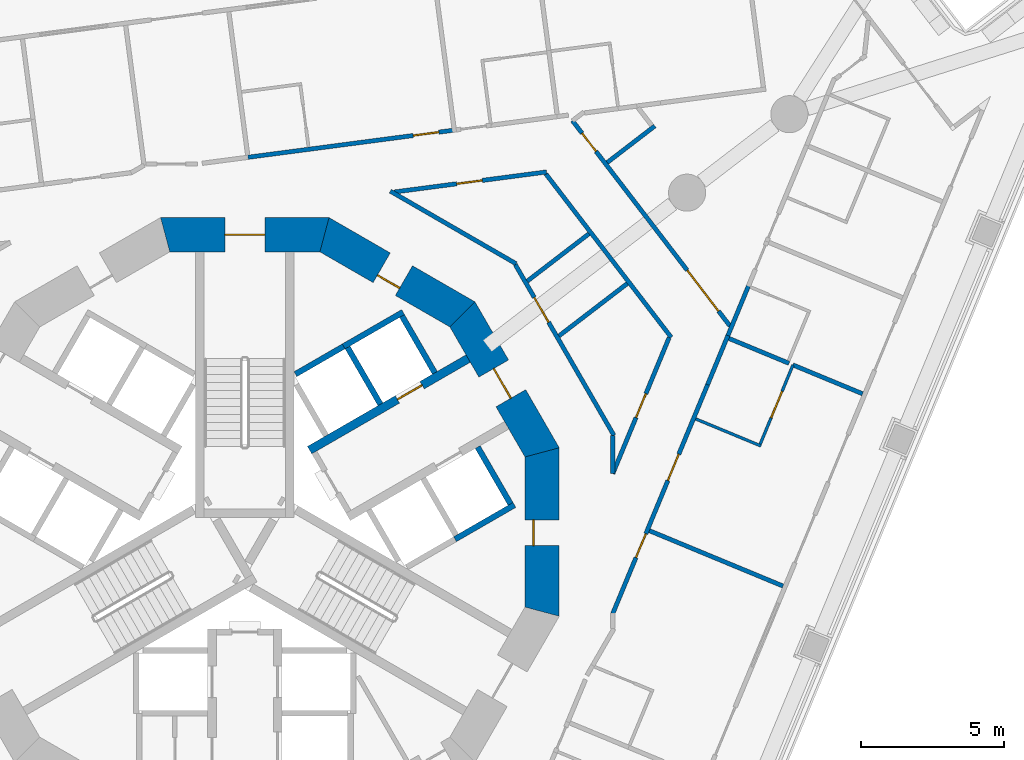
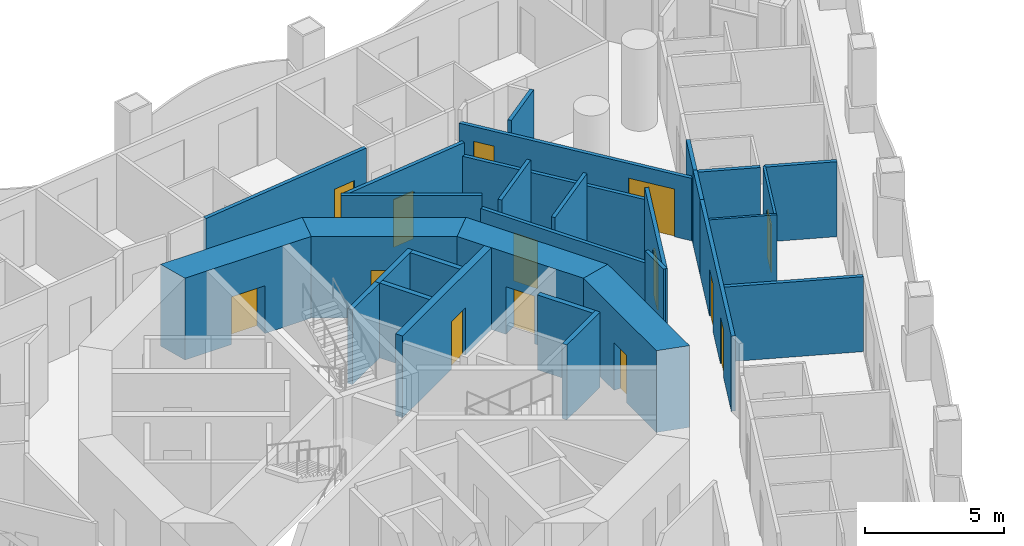
# One storey, part 9 of 19: 30 walls, 14 doors, 14 openings.
"""IFC4 building model written with IfcOpenShell, lengths in metres."""

from ifc_helpers import new_model, si_unit, direction, frame, frame_2d, origin, place, context, subcontext, project, spatial, polyline, rectangle, outline, extrude, material, layer, layer_set, type_object, element, fill, save


model = new_model("IFC4")

# Units and contexts
model_context = context("Model", 3, precision=1e-05, world=origin(), true_north=direction((0.0, 1.0)))
body_context = subcontext(model_context, "Body", "Model", "MODEL_VIEW")
ifc_project = project(units=[si_unit("LENGTHUNIT", "METRE"), si_unit("AREAUNIT", "SQUARE_METRE"), si_unit("VOLUMEUNIT", "CUBIC_METRE"), si_unit("PLANEANGLEUNIT", "RADIAN"), si_unit("MASSUNIT", "GRAM", prefix="KILO")], contexts=[model_context])

# Site, building, storey
site_placement = place(None, origin())
site = spatial("IfcSite", under=ifc_project, at=site_placement, CompositionType="ELEMENT")
building_placement = place(site_placement, origin())
building = spatial("IfcBuilding", under=site, at=building_placement, Name="Trine Commons Tower", CompositionType="ELEMENT")
storey_placement = place(building_placement, frame((0.0, 0.0, 72.0)))
storey = spatial("IfcBuildingStorey", under=building, at=storey_placement, Name="L17", CompositionType="ELEMENT", Elevation=72.0)

# Wall, opening, door
ifc_material_1 = material(Name="Concrete C80/95", Category="concrete")
ifc_layer_1 = layer(ifc_material_1, 1.199951171875)
ifc_layer_set_1 = layer_set([ifc_layer_1], Name="Concrete C80/95")
wall_type_1 = type_object("IfcWallType", Name="RC shear wall 1200 mm, C80/95", PredefinedType="SHEAR", material=ifc_layer_set_1)
wall_1_placement = place(storey_placement, frame((90.41162109375, 59.549560546875, 0.0), z_axis=(0.0, 0.0, 1.0), x_axis=(0.0, 1.0, 0.0)))
wall_1 = element("IfcWall", 1, at=wall_1_placement, inside=storey, type_object=wall_type_1, Name="Core wall CWB-01 L17", PredefinedType="SHEAR", context=body_context, shape_type="SweptSolid", body=[
    extrude(outline(polyline([(0.0, -0.60009765625), (5.90087890625, -0.60009765625), (5.57958984375, 0.60009765625), (0.321533203125, 0.60009765625), (0.0, -0.60009765625)])), origin(), (0.0, 0.0, 1.0), 3.60009765625),
])
opening_1_placement = place(wall_1_placement, frame((2.4755859375, 0.0, 0.0)))
opening_1 = element("IfcOpeningElement", 2, at=opening_1_placement, cuts=wall_1, Name="Opening K04.18", PredefinedType="OPENING", context=body_context, shape_type="SweptSolid", body=[
    extrude(rectangle(XDim=0.89990234375, YDim=2.10009765625, at=frame_2d((0.449951171875, 1.050048828125))), frame((0.0, 0.60986328125, 0.0), z_axis=(0.0, -1.0, 0.0), x_axis=(1.0, 0.0, 0.0)), (0.0, 0.0, 1.0), 1.219970703125),
])
ifc_material_2 = material(Name="Steel door leaf, fire-rated", Category="steel")
door_type_1 = type_object("IfcDoorType", Name="Core room door, single leaf 900 x 2100, FD30S", OperationType="SINGLE_SWING_LEFT", PredefinedType="DOOR", material=ifc_material_2)
door_1_placement = place(opening_1_placement, origin())
door_1 = element("IfcDoor", 3, at=door_1_placement, inside=storey, type_object=door_type_1, Name="Door to Parcel store L17", OperationType="SINGLE_SWING_LEFT", OverallHeight=2.10009765625, OverallWidth=0.89990234375, PredefinedType="DOOR", context=body_context, shape_type="SweptSolid", body=[
    extrude(rectangle(XDim=0.89990234375, YDim=2.10009765625, at=frame_2d((0.449951171875, 1.050048828125))), frame((0.0, 0.3251953125, 0.0), z_axis=(0.0, -1.0, 0.0), x_axis=(1.0, 0.0, 0.0)), (0.0, 0.0, 1.0), 0.050048828125),
])
fill(opening_1, door_1)

wall_2_placement = place(storey_placement, frame((90.491943359375, 65.150390625, 0.0), z_axis=(0.0, 0.0, 1.0), x_axis=(-0.499979111662, 0.866037463336, 0.0)))
wall_2 = element("IfcWall", 4, at=wall_2_placement, inside=storey, type_object=wall_type_1, Name="Core wall CWB-02 L17", PredefinedType="SHEAR", context=body_context, shape_type="SweptSolid", body=[
    extrude(outline(polyline([(0.0, -0.60009765625), (5.901123046875, -0.60009765625), (5.57958984375, 0.60009765625), (0.321533203125, 0.60009765625), (0.0, -0.60009765625)])), origin(), (0.0, 0.0, 1.0), 3.60009765625),
])
opening_2_placement = place(wall_2_placement, frame((2.3505859375, 0.0, 0.0)))
opening_2 = element("IfcOpeningElement", 5, at=opening_2_placement, cuts=wall_2, Name="Opening K04.04", PredefinedType="OPENING", context=body_context, shape_type="SweptSolid", body=[
    extrude(rectangle(XDim=1.199951171875, YDim=2.10009765625, at=frame_2d((0.60009765625, 1.050048828125))), frame((0.0, 0.60986328125, 0.0), z_axis=(0.0, -1.0, 0.0), x_axis=(1.0, 0.0, 0.0)), (0.0, 0.0, 1.0), 1.219970703125),
])
ifc_material_3 = material(Name="Steel door leaves, fire-rated", Category="steel")
door_type_2 = type_object("IfcDoorType", Name="Lobby door, double leaf 1200 x 2100, FD60", OperationType="DOUBLE_DOOR_SINGLE_SWING", PredefinedType="DOOR", material=ifc_material_3)
door_2_placement = place(opening_2_placement, origin())
door_2 = element("IfcDoor", 6, at=door_2_placement, inside=storey, type_object=door_type_2, Name="Lobby door, Passenger lift lobby A L17", OperationType="DOUBLE_DOOR_SINGLE_SWING", OverallHeight=2.10009765625, OverallWidth=1.199951171875, PredefinedType="DOOR", context=body_context, shape_type="SweptSolid", body=[
    extrude(rectangle(XDim=1.199951171875, YDim=2.10009765625, at=frame_2d((0.60009765625, 1.050048828125))), frame((0.0, 0.02490234375, 0.0), z_axis=(0.0, -1.0, 0.0), x_axis=(1.0, 0.0, 0.0)), (0.0, 0.0, 1.0), 0.050048828125),
])
fill(opening_2, door_2)

wall_3_placement = place(storey_placement, frame((87.760986328125, 70.04150390625, 0.0), z_axis=(0.0, 0.0, 1.0), x_axis=(-0.866037463336, 0.499979111662, 0.0)))
wall_3 = element("IfcWall", 7, at=wall_3_placement, inside=storey, type_object=wall_type_1, Name="Core wall CWB-03 L17", PredefinedType="SHEAR", context=body_context, shape_type="SweptSolid", body=[
    extrude(outline(polyline([(0.0, -0.60009765625), (5.901123046875, -0.60009765625), (5.57958984375, 0.60009765625), (0.321533203125, 0.60009765625), (0.0, -0.60009765625)])), origin(), (0.0, 0.0, 1.0), 3.60009765625),
])
opening_3_placement = place(wall_3_placement, frame((2.526611328125, 0.0, 0.0)))
opening_3 = element("IfcOpeningElement", 8, at=opening_3_placement, cuts=wall_3, Name="Opening K04.12", PredefinedType="OPENING", context=body_context, shape_type="SweptSolid", body=[
    extrude(rectangle(XDim=0.89990234375, YDim=2.10009765625, at=frame_2d((0.449951171875, 1.050048828125))), frame((0.0, 0.60986328125, 0.0), z_axis=(0.0, -1.0, 0.0), x_axis=(1.0, 0.0, 0.0)), (0.0, 0.0, 1.0), 1.219970703125),
])
door_3_placement = place(opening_3_placement, origin())
door_3 = element("IfcDoor", 9, at=door_3_placement, inside=storey, type_object=door_type_1, Name="Door to Linen store L17", OperationType="SINGLE_SWING_RIGHT", OverallHeight=2.10009765625, OverallWidth=0.89990234375, PredefinedType="DOOR", context=body_context, shape_type="SweptSolid", body=[
    extrude(rectangle(XDim=0.89990234375, YDim=2.10009765625, at=frame_2d((0.449951171875, 1.050048828125))), frame((0.0, 0.3251953125, 0.0), z_axis=(0.0, -1.0, 0.0), x_axis=(1.0, 0.0, 0.0)), (0.0, 0.0, 1.0), 0.050048828125),
])
fill(opening_3, door_3)

wall_4_placement = place(storey_placement, frame((82.950439453125, 72.91162109375, 0.0), z_axis=(0.0, 0.0, 1.0), x_axis=(-1.0, 0.0, 0.0)))
wall_4 = element("IfcWall", 10, at=wall_4_placement, inside=storey, type_object=wall_type_1, Name="Core wall CWB-04 L17", PredefinedType="SHEAR", context=body_context, shape_type="SweptSolid", body=[
    extrude(outline(polyline([(0.0, -0.60009765625), (5.90087890625, -0.60009765625), (5.57958984375, 0.60009765625), (0.321533203125, 0.60009765625), (0.0, -0.60009765625)])), origin(), (0.0, 0.0, 1.0), 3.60009765625),
])
opening_4_placement = place(wall_4_placement, frame((2.25048828125, 0.0, 0.0)))
opening_4 = element("IfcOpeningElement", 11, at=opening_4_placement, cuts=wall_4, Name="Opening K04.01", PredefinedType="OPENING", context=body_context, shape_type="SweptSolid", body=[
    extrude(rectangle(XDim=1.39990234375, YDim=2.10009765625, at=frame_2d((0.699951171875, 1.050048828125))), frame((0.0, 0.60986328125, 0.0), z_axis=(0.0, -1.0, 0.0), x_axis=(1.0, 0.0, 0.0)), (0.0, 0.0, 1.0), 1.219970703125),
])
door_type_3 = type_object("IfcDoorType", Name="Stair door, double leaf 1400 x 2100, FD90", OperationType="DOUBLE_DOOR_SINGLE_SWING", PredefinedType="DOOR", material=ifc_material_3)
door_4_placement = place(opening_4_placement, origin())
door_4 = element("IfcDoor", 12, at=door_4_placement, inside=storey, type_object=door_type_3, Name="Stair door to Exit stair ST1A L17", OperationType="DOUBLE_DOOR_SINGLE_SWING", OverallHeight=2.10009765625, OverallWidth=1.39990234375, PredefinedType="DOOR", context=body_context, shape_type="SweptSolid", body=[
    extrude(rectangle(XDim=1.39990234375, YDim=2.10009765625, at=frame_2d((0.699951171875, 1.050048828125))), frame((0.0, 0.02490234375, 0.0), z_axis=(0.0, -1.0, 0.0), x_axis=(1.0, 0.0, 0.0)), (0.0, 0.0, 1.0), 0.050048828125),
])
fill(opening_4, door_4)

ifc_layer_2 = layer(ifc_material_1, 0.300048828125)
ifc_layer_set_2 = layer_set([ifc_layer_2], Name="Concrete C80/95")
wall_type_2 = type_object("IfcWallType", Name="RC shear wall 300 mm, C80/95", PredefinedType="SHEAR", material=ifc_layer_set_2)
wall_5_placement = place(storey_placement, frame((82.26904296875, 65.368896484375, 0.0), z_axis=(0.0, 0.0, 1.0), x_axis=(0.866022631842, 0.500004801114, 0.0)))
wall_5 = element("IfcWall", 13, at=wall_5_placement, inside=storey, type_object=wall_type_2, Name="Core cross wall SWA-05 L17", PredefinedType="SHEAR", context=body_context, shape_type="SweptSolid", body=[
    extrude(rectangle(XDim=6.412109375, YDim=0.300048828125, at=frame_2d((3.2060546875, 0.0))), origin(), (0.0, 0.0, 1.0), 3.60009765625),
])
opening_5_placement = place(wall_5_placement, frame((3.55029296875, 0.0, 0.0)))
opening_5 = element("IfcOpeningElement", 14, at=opening_5_placement, cuts=wall_5, Name="Opening LD1", PredefinedType="OPENING", context=body_context, shape_type="SweptSolid", body=[
    extrude(rectangle(XDim=1.0, YDim=2.10009765625, at=frame_2d((0.5, 1.050048828125))), frame((0.0, 0.159912109375, 0.0), z_axis=(0.0, -1.0, 0.0), x_axis=(1.0, 0.0, 0.0)), (0.0, 0.0, 1.0), 0.320068359375),
])
ifc_material_4 = material(Name="Stainless steel sliding door leaves", Category="steel")
door_type_4 = type_object("IfcDoorType", Name="Lift landing door, centre-opening sliding 1000 x 2100, FD90", OperationType="DOUBLE_DOOR_SLIDING", PredefinedType="DOOR", material=ifc_material_4)
door_5_placement = place(opening_5_placement, origin())
door_5 = element("IfcDoor", 15, at=door_5_placement, inside=storey, type_object=door_type_4, Name="Lift landing door LR1 L17", OperationType="DOUBLE_DOOR_SLIDING", OverallHeight=2.10009765625, OverallWidth=1.0, PredefinedType="DOOR", context=body_context, shape_type="SweptSolid", body=[
    extrude(rectangle(XDim=1.0, YDim=2.10009765625, at=frame_2d((0.5, 1.050048828125))), frame((0.0, 0.02490234375, 0.0), z_axis=(0.0, -1.0, 0.0), x_axis=(1.0, 0.0, 0.0)), (0.0, 0.0, 1.0), 0.050048828125),
])
fill(opening_5, door_5)

# Walls
ifc_material_5 = material(Name="Fire-rated gypsum shaft wall system")
ifc_layer_3 = layer(ifc_material_5, 0.199951171875)
ifc_layer_set_3 = layer_set([ifc_layer_3], Name="Fire-rated gypsum shaft wall system")
wall_type_3 = type_object("IfcWallType", Name="Shaft wall 200 mm, EI 120", PredefinedType="PARTITIONING", material=ifc_layer_set_3)
wall_6_placement = place(storey_placement, frame((81.77490234375, 68.028076171875, 0.0), z_axis=(0.0, 0.0, 1.0), x_axis=(0.866052014814, 0.499953905513, 0.0)))
element("IfcWall", 16, at=wall_6_placement, inside=storey, type_object=wall_type_3, Name="Shaft wall L17", PredefinedType="PARTITIONING", context=body_context, shape_type="SweptSolid", body=[
    extrude(rectangle(XDim=1.947998046875, YDim=0.199951171875, at=frame_2d((0.97412109375, 0.0))), origin(), (0.0, 0.0, 1.0), 3.300048828125),
])
wall_7_placement = place(storey_placement, frame((83.4619140625, 69.001953125, 0.0), z_axis=(0.0, 0.0, 1.0), x_axis=(0.866202511239, 0.499693115345, 0.0)))
element("IfcWall", 17, at=wall_7_placement, inside=storey, type_object=wall_type_3, Name="Shaft wall L17", PredefinedType="PARTITIONING", context=body_context, shape_type="SweptSolid", body=[
    extrude(rectangle(XDim=2.4013671875, YDim=0.199951171875, at=frame_2d((1.20068359375, 0.0))), origin(), (0.0, 0.0, 1.0), 3.300048828125),
])
wall_8_placement = place(storey_placement, frame((84.7490234375, 66.97412109375, 0.0), z_axis=(0.0, 0.0, 1.0), x_axis=(-0.500136062276, 0.86594683394, 0.0)))
element("IfcWall", 18, at=wall_8_placement, inside=storey, type_object=wall_type_3, Name="Shaft wall L17", PredefinedType="PARTITIONING", context=body_context, shape_type="SweptSolid", body=[
    extrude(rectangle(XDim=2.299072265625, YDim=0.199951171875, at=frame_2d((1.1494140625, 0.0))), origin(), (0.0, 0.0, 1.0), 3.300048828125),
])
wall_9_placement = place(storey_placement, frame((86.655029296875, 68.073974609375, 0.0), z_axis=(0.0, 0.0, 1.0), x_axis=(-0.500215680983, 0.865900844496, 0.0)))
element("IfcWall", 19, at=wall_9_placement, inside=storey, type_object=wall_type_3, Name="Shaft wall L17", PredefinedType="PARTITIONING", context=body_context, shape_type="SweptSolid", body=[
    extrude(rectangle(XDim=2.29931640625, YDim=0.199951171875, at=frame_2d((1.149658203125, 0.0))), origin(), (0.0, 0.0, 1.0), 3.300048828125),
])
wall_10_placement = place(storey_placement, frame((87.362060546875, 62.248046875, 0.0), z_axis=(0.0, 0.0, 1.0), x_axis=(0.866177122335, 0.499737123639, 0.0)))
element("IfcWall", 20, at=wall_10_placement, inside=storey, type_object=wall_type_3, Name="Shaft wall L17", PredefinedType="PARTITIONING", context=body_context, shape_type="SweptSolid", body=[
    extrude(rectangle(XDim=2.401123046875, YDim=0.199951171875, at=frame_2d((1.20068359375, 0.0))), origin(), (0.0, 0.0, 1.0), 3.300048828125),
])
wall_11_placement = place(storey_placement, frame((88.155029296875, 65.47607421875, 0.0), z_axis=(0.0, 0.0, 1.0), x_axis=(0.500136062276, -0.86594683394, 0.0)))
element("IfcWall", 21, at=wall_11_placement, inside=storey, type_object=wall_type_3, Name="Shaft wall L17", PredefinedType="PARTITIONING", context=body_context, shape_type="SweptSolid", body=[
    extrude(rectangle(XDim=2.299072265625, YDim=0.199951171875, at=frame_2d((1.1494140625, 0.0))), origin(), (0.0, 0.0, 1.0), 3.300048828125),
])

# Wall, opening, door
ifc_material_6 = material(Name="Gypsum plasterboard on steel stud", Category="steel")
ifc_layer_4 = layer(ifc_material_6, 0.14990234375)
ifc_layer_set_4 = layer_set([ifc_layer_4], Name="Gypsum plasterboard on steel stud")
wall_type_4 = type_object("IfcWallType", Name="Unit and corridor wall 150 mm, EI 60", PredefinedType="PARTITIONING", material=ifc_layer_set_4)
wall_12_placement = place(storey_placement, frame((80.10595703125, 75.623046875, 0.0), z_axis=(0.0, 0.0, 1.0), x_axis=(0.991433895308, 0.130609460741, 0.0)))
wall_12 = element("IfcWall", 22, at=wall_12_placement, inside=storey, type_object=wall_type_4, Name="Partition 080", PredefinedType="PARTITIONING", context=body_context, shape_type="SweptSolid", body=[
    extrude(rectangle(XDim=7.295654296875, YDim=0.14990234375, at=frame_2d((3.64794921875, 0.0))), origin(), (0.0, 0.0, 1.0), 3.300048828125),
])
opening_6_placement = place(wall_12_placement, frame((5.847900390625, 0.0, 0.0)))
opening_6 = element("IfcOpeningElement", 23, at=opening_6_placement, cuts=wall_12, Name="Opening D-2C12", PredefinedType="OPENING", context=body_context, shape_type="SweptSolid", body=[
    extrude(rectangle(XDim=0.89990234375, YDim=2.10009765625, at=frame_2d((0.449951171875, 1.050048828125))), frame((0.0, 0.0849609375, 0.0), z_axis=(0.0, -1.0, 0.0), x_axis=(1.0, 0.0, 0.0)), (0.0, 0.0, 1.0), 0.169921875),
])
ifc_material_7 = material(Name="Timber fire door set", Category="wood")
door_type_5 = type_object("IfcDoorType", Name="Bedroom door 900 x 2100, FD30S", OperationType="NOTDEFINED", PredefinedType="DOOR", material=ifc_material_7)
door_6_placement = place(opening_6_placement, origin())
door_6 = element("IfcDoor", 24, at=door_6_placement, inside=storey, type_object=door_type_5, Name="Door D-2C12", OperationType="SINGLE_SWING_RIGHT", OverallHeight=2.10009765625, OverallWidth=0.89990234375, PredefinedType="DOOR", context=body_context, shape_type="SweptSolid", body=[
    extrude(rectangle(XDim=0.89990234375, YDim=2.10009765625, at=frame_2d((0.449951171875, 1.050048828125))), frame((0.0, 0.02490234375, 0.0), z_axis=(0.0, -1.0, 0.0), x_axis=(1.0, 0.0, 0.0)), (0.0, 0.0, 1.0), 0.050048828125),
])
fill(opening_6, door_6)

# Wall
wall_13_placement = place(storey_placement, frame((85.095947265625, 74.4384765625, 0.0), z_axis=(0.0, 0.0, 1.0), x_axis=(0.866036051865, -0.49998155653, 0.0)))
element("IfcWall", 25, at=wall_13_placement, inside=storey, type_object=wall_type_4, Name="Partition 093", PredefinedType="PARTITIONING", context=body_context, shape_type="SweptSolid", body=[
    extrude(rectangle(XDim=5.084228515625, YDim=0.14990234375, at=frame_2d((2.5419921875, 0.0))), origin(), (0.0, 0.0, 1.0), 3.300048828125),
])

# Wall, opening, door
wall_14_placement = place(storey_placement, frame((85.23828125, 74.40869140625, 0.0), z_axis=(0.0, 0.0, 1.0), x_axis=(0.991440693098, 0.130557849512, 0.0)))
wall_14 = element("IfcWall", 26, at=wall_14_placement, inside=storey, type_object=wall_type_4, Name="Partition 095", PredefinedType="PARTITIONING", context=body_context, shape_type="SweptSolid", body=[
    extrude(rectangle(XDim=5.378173828125, YDim=0.14990234375, at=frame_2d((2.68896484375, 0.0))), origin(), (0.0, 0.0, 1.0), 3.300048828125),
])
opening_7_placement = place(wall_14_placement, frame((2.201416015625, 0.0, 0.0)))
opening_7 = element("IfcOpeningElement", 27, at=opening_7_placement, cuts=wall_14, Name="Opening D-2C35", PredefinedType="OPENING", context=body_context, shape_type="SweptSolid", body=[
    extrude(rectangle(XDim=0.89990234375, YDim=2.10009765625, at=frame_2d((0.449951171875, 1.050048828125))), frame((0.0, 0.0849609375, 0.0), z_axis=(0.0, -1.0, 0.0), x_axis=(1.0, 0.0, 0.0)), (0.0, 0.0, 1.0), 0.169921875),
])
door_type_6 = type_object("IfcDoorType", Name="Service door 900 x 2100, FD30S", OperationType="NOTDEFINED", PredefinedType="DOOR", material=ifc_material_7)
door_7_placement = place(opening_7_placement, frame((0.89990234375, 0.0, 0.0), z_axis=(0.0, 0.0, 1.0), x_axis=(-1.0, 0.0, 0.0)))
door_7 = element("IfcDoor", 28, at=door_7_placement, inside=storey, type_object=door_type_6, Name="Door D-2C35", OperationType="SINGLE_SWING_RIGHT", OverallHeight=2.10009765625, OverallWidth=0.89990234375, PredefinedType="DOOR", context=body_context, shape_type="SweptSolid", body=[
    extrude(rectangle(XDim=0.89990234375, YDim=2.10009765625, at=frame_2d((0.449951171875, 1.050048828125))), frame((0.0, 0.02490234375, 0.0), z_axis=(0.0, -1.0, 0.0), x_axis=(1.0, 0.0, 0.0)), (0.0, 0.0, 1.0), 0.050048828125),
])
fill(opening_7, door_7)

wall_15_placement = place(storey_placement, frame((89.471435546875, 71.868896484375, 0.0), z_axis=(0.0, 0.0, 1.0), x_axis=(0.50000193825, -0.866024284732, 0.0)))
wall_15 = element("IfcWall", 29, at=wall_15_placement, inside=storey, type_object=wall_type_4, Name="Partition 113", PredefinedType="PARTITIONING", context=body_context, shape_type="SweptSolid", body=[
    extrude(rectangle(XDim=6.90625, YDim=0.14990234375, at=frame_2d((3.453125, 0.0))), origin(), (0.0, 0.0, 1.0), 2.75),
])
opening_8_placement = place(wall_15_placement, frame((1.3330078125, 0.0, 0.0)))
opening_8 = element("IfcOpeningElement", 30, at=opening_8_placement, cuts=wall_15, Name="Opening D-2C41", PredefinedType="OPENING", context=body_context, shape_type="SweptSolid", body=[
    extrude(rectangle(XDim=1.0, YDim=2.10009765625, at=frame_2d((0.5, 1.050048828125))), frame((0.0, 0.0849609375, 0.0), z_axis=(0.0, -1.0, 0.0), x_axis=(1.0, 0.0, 0.0)), (0.0, 0.0, 1.0), 0.169921875),
])
ifc_material_8 = material(Name="Painted timber", Category="wood")
door_type_7 = type_object("IfcDoorType", Name="Toilet door 1000 x 2100, NOT RATED", OperationType="NOTDEFINED", PredefinedType="DOOR", material=ifc_material_8)
door_8_placement = place(opening_8_placement, origin())
door_8 = element("IfcDoor", 31, at=door_8_placement, inside=storey, type_object=door_type_7, Name="Door D-2C41", OperationType="SINGLE_SWING_LEFT", OverallHeight=2.10009765625, OverallWidth=1.0, PredefinedType="DOOR", context=body_context, shape_type="SweptSolid", body=[
    extrude(rectangle(XDim=1.0, YDim=2.10009765625, at=frame_2d((0.5, 1.050048828125))), frame((0.0, 0.02490234375, 0.0), z_axis=(0.0, -1.0, 0.0), x_axis=(1.0, 0.0, 0.0)), (0.0, 0.0, 1.0), 0.050048828125),
])
fill(opening_8, door_8)

# Walls
wall_16_placement = place(storey_placement, frame((89.892578125, 71.28759765625, 0.0), z_axis=(0.0, 0.0, 1.0), x_axis=(0.793249929781, 0.608896172515, 0.0)))
element("IfcWall", 32, at=wall_16_placement, inside=storey, type_object=wall_type_4, Name="Partition 114", PredefinedType="PARTITIONING", context=body_context, shape_type="SweptSolid", body=[
    extrude(rectangle(XDim=2.72412109375, YDim=0.14990234375, at=frame_2d((1.362060546875, 0.0))), origin(), (0.0, 0.0, 1.0), 3.300048828125),
])
wall_17_placement = place(storey_placement, frame((90.541748046875, 75.04150390625, 0.0), z_axis=(0.0, 0.0, 1.0), x_axis=(0.608724186816, -0.793381915842, 0.0)))
element("IfcWall", 33, at=wall_17_placement, inside=storey, type_object=wall_type_4, Name="Partition 118", PredefinedType="PARTITIONING", context=body_context, shape_type="SweptSolid", body=[
    extrude(rectangle(XDim=7.21484375, YDim=0.14990234375, at=frame_2d((3.607421875, 0.0))), origin(), (0.0, 0.0, 1.0), 2.75),
])
wall_18_placement = place(storey_placement, frame((91.00146484375, 69.36669921875, 0.0), z_axis=(0.0, 0.0, 1.0), x_axis=(0.79348121318, 0.608594745565, 0.0)))
element("IfcWall", 34, at=wall_18_placement, inside=storey, type_object=wall_type_4, Name="Partition 124", PredefinedType="PARTITIONING", context=body_context, shape_type="SweptSolid", body=[
    extrude(rectangle(XDim=3.0146484375, YDim=0.14990234375, at=frame_2d((1.50732421875, 0.0))), origin(), (0.0, 0.0, 1.0), 3.300048828125),
])

# Wall, openings, doors
wall_19_placement = place(storey_placement, frame((91.47412109375, 76.906005859375, 0.0), z_axis=(0.0, 0.0, 1.0), x_axis=(0.608691769464, -0.793406787081, 0.0)))
wall_19 = element("IfcWall", 35, at=wall_19_placement, inside=storey, type_object=wall_type_4, Name="Partition 128", PredefinedType="PARTITIONING", context=body_context, shape_type="SweptSolid", body=[
    extrude(rectangle(XDim=9.05908203125, YDim=0.14990234375, at=frame_2d((4.529541015625, 0.0))), origin(), (0.0, 0.0, 1.0), 2.75),
])
opening_9_placement = place(wall_19_placement, frame((6.606201171875, 0.0, 0.0)))
opening_9 = element("IfcOpeningElement", 36, at=opening_9_placement, cuts=wall_19, Name="Opening D-2C01", PredefinedType="OPENING", context=body_context, shape_type="SweptSolid", body=[
    extrude(rectangle(XDim=1.800048828125, YDim=2.10009765625, at=frame_2d((0.89990234375, 1.050048828125))), frame((0.0, 0.0849609375, 0.0), z_axis=(0.0, -1.0, 0.0), x_axis=(1.0, 0.0, 0.0)), (0.0, 0.0, 1.0), 0.169921875),
])
opening_10_placement = place(wall_19_placement, frame((0.553955078125, 0.0, 0.0)))
opening_10 = element("IfcOpeningElement", 37, at=opening_10_placement, cuts=wall_19, Name="Opening D-2C04", PredefinedType="OPENING", context=body_context, shape_type="SweptSolid", body=[
    extrude(rectangle(XDim=0.800048828125, YDim=2.10009765625, at=frame_2d((0.39990234375, 1.050048828125))), frame((0.0, 0.0849609375, 0.0), z_axis=(0.0, -1.0, 0.0), x_axis=(1.0, 0.0, 0.0)), (0.0, 0.0, 1.0), 0.169921875),
])
door_type_8 = type_object("IfcDoorType", Name="Cluster entrance door 1800 x 2100, double leaf, FD30S", OperationType="DOUBLE_DOOR_DOUBLE_SWING", PredefinedType="DOOR", material=ifc_material_7)
door_9_placement = place(opening_9_placement, origin())
door_9 = element("IfcDoor", 38, at=door_9_placement, inside=storey, type_object=door_type_8, Name="Door D-2C01", OperationType="DOUBLE_DOOR_DOUBLE_SWING", OverallHeight=2.10009765625, OverallWidth=1.800048828125, PredefinedType="DOOR", context=body_context, shape_type="SweptSolid", body=[
    extrude(rectangle(XDim=1.800048828125, YDim=2.10009765625, at=frame_2d((0.89990234375, 1.050048828125))), frame((0.0, 0.02490234375, 0.0), z_axis=(0.0, -1.0, 0.0), x_axis=(1.0, 0.0, 0.0)), (0.0, 0.0, 1.0), 0.050048828125),
])
fill(opening_9, door_9)
door_type_9 = type_object("IfcDoorType", Name="Toilet door 800 x 2100, NOT RATED", OperationType="NOTDEFINED", PredefinedType="DOOR", material=ifc_material_8)
door_10_placement = place(opening_10_placement, origin())
door_10 = element("IfcDoor", 39, at=door_10_placement, inside=storey, type_object=door_type_9, Name="Door D-2C04", OperationType="SINGLE_SWING_LEFT", OverallHeight=2.10009765625, OverallWidth=0.800048828125, PredefinedType="DOOR", context=body_context, shape_type="SweptSolid", body=[
    extrude(rectangle(XDim=0.800048828125, YDim=2.10009765625, at=frame_2d((0.39990234375, 1.050048828125))), frame((0.0, 0.02490234375, 0.0), z_axis=(0.0, -1.0, 0.0), x_axis=(1.0, 0.0, 0.0)), (0.0, 0.0, 1.0), 0.050048828125),
])
fill(opening_10, door_10)

# Wall
wall_20_placement = place(storey_placement, frame((92.6923828125, 75.440673828125, 0.0), z_axis=(0.0, 0.0, 1.0), x_axis=(0.793198338244, 0.608963378379, 0.0)))
element("IfcWall", 40, at=wall_20_placement, inside=storey, type_object=wall_type_4, Name="Partition 136", PredefinedType="PARTITIONING", context=body_context, shape_type="SweptSolid", body=[
    extrude(rectangle(XDim=2.100341796875, YDim=0.14990234375, at=frame_2d((1.05029296875, 0.0))), origin(), (0.0, 0.0, 1.0), 3.300048828125),
])

# Wall, openings, doors
wall_21_placement = place(storey_placement, frame((92.886962890625, 59.64599609375, 0.0), z_axis=(0.0, 0.0, 1.0), x_axis=(0.382685755008, 0.923878570438, 0.0)))
wall_21 = element("IfcWall", 41, at=wall_21_placement, inside=storey, type_object=wall_type_4, Name="Partition 139", PredefinedType="PARTITIONING", context=body_context, shape_type="SweptSolid", body=[
    extrude(rectangle(XDim=8.673095703125, YDim=0.14990234375, at=frame_2d((4.33642578125, 0.0))), origin(), (0.0, 0.0, 1.0), 3.300048828125),
])
opening_11_placement = place(wall_21_placement, frame((5.0400390625, 0.0, 0.0)))
opening_11 = element("IfcOpeningElement", 42, at=opening_11_placement, cuts=wall_21, Name="Opening D-2C18", PredefinedType="OPENING", context=body_context, shape_type="SweptSolid", body=[
    extrude(rectangle(XDim=1.0, YDim=2.10009765625, at=frame_2d((0.5, 1.050048828125))), frame((0.0, 0.0849609375, 0.0), z_axis=(0.0, -1.0, 0.0), x_axis=(1.0, 0.0, 0.0)), (0.0, 0.0, 1.0), 0.169921875),
])
opening_12_placement = place(wall_21_placement, frame((2.120361328125, 0.0, 0.0)))
opening_12 = element("IfcOpeningElement", 43, at=opening_12_placement, cuts=wall_21, Name="Opening D-2C19", PredefinedType="OPENING", context=body_context, shape_type="SweptSolid", body=[
    extrude(rectangle(XDim=0.89990234375, YDim=2.10009765625, at=frame_2d((0.449951171875, 1.050048828125))), frame((0.0, 0.0849609375, 0.0), z_axis=(0.0, -1.0, 0.0), x_axis=(1.0, 0.0, 0.0)), (0.0, 0.0, 1.0), 0.169921875),
])
door_type_10 = type_object("IfcDoorType", Name="Bedroom door 1000 x 2100, FD30S", OperationType="NOTDEFINED", PredefinedType="DOOR", material=ifc_material_7)
door_11_placement = place(opening_11_placement, frame((1.0, 0.0, 0.0), z_axis=(0.0, 0.0, 1.0), x_axis=(-1.0, 0.0, 0.0)))
door_11 = element("IfcDoor", 44, at=door_11_placement, inside=storey, type_object=door_type_10, Name="Door D-2C18", OperationType="SINGLE_SWING_LEFT", OverallHeight=2.10009765625, OverallWidth=1.0, PredefinedType="DOOR", context=body_context, shape_type="SweptSolid", body=[
    extrude(rectangle(XDim=1.0, YDim=2.10009765625, at=frame_2d((0.5, 1.050048828125))), frame((0.0, 0.02490234375, 0.0), z_axis=(0.0, -1.0, 0.0), x_axis=(1.0, 0.0, 0.0)), (0.0, 0.0, 1.0), 0.050048828125),
])
fill(opening_11, door_11)
door_12_placement = place(opening_12_placement, frame((0.89990234375, 0.0, 0.0), z_axis=(0.0, 0.0, 1.0), x_axis=(-1.0, 0.0, 0.0)))
door_12 = element("IfcDoor", 45, at=door_12_placement, inside=storey, type_object=door_type_5, Name="Door D-2C19", OperationType="SINGLE_SWING_RIGHT", OverallHeight=2.10009765625, OverallWidth=0.89990234375, PredefinedType="DOOR", context=body_context, shape_type="SweptSolid", body=[
    extrude(rectangle(XDim=0.89990234375, YDim=2.10009765625, at=frame_2d((0.449951171875, 1.050048828125))), frame((0.0, 0.02490234375, 0.0), z_axis=(0.0, -1.0, 0.0), x_axis=(1.0, 0.0, 0.0)), (0.0, 0.0, 1.0), 0.050048828125),
])
fill(opening_12, door_12)

# Wall
wall_22_placement = place(storey_placement, frame((92.886962890625, 64.5419921875, 0.0), z_axis=(0.0, 0.0, 1.0), x_axis=(0.0, 1.0, 0.0)))
element("IfcWall", 46, at=wall_22_placement, inside=storey, type_object=wall_type_4, Name="Partition 140", PredefinedType="PARTITIONING", context=body_context, shape_type="SweptSolid", body=[
    extrude(rectangle(XDim=1.3359375, YDim=0.14990234375, at=frame_2d((0.66796875, 0.0))), origin(), (0.0, 0.0, 1.0), 3.300048828125),
])

# Wall, opening, door
wall_23_placement = place(storey_placement, frame((92.886962890625, 64.5458984375, 0.0), z_axis=(0.0, 0.0, 1.0), x_axis=(0.382690656651, 0.923876540081, 0.0)))
wall_23 = element("IfcWall", 47, at=wall_23_placement, inside=storey, type_object=wall_type_4, Name="Partition 141", PredefinedType="PARTITIONING", context=body_context, shape_type="SweptSolid", body=[
    extrude(rectangle(XDim=5.154052734375, YDim=0.14990234375, at=frame_2d((2.5771484375, 0.0))), origin(), (0.0, 0.0, 1.0), 3.300048828125),
])
opening_13_placement = place(wall_23_placement, frame((2.126953125, 0.0, 0.0)))
opening_13 = element("IfcOpeningElement", 48, at=opening_13_placement, cuts=wall_23, Name="Opening D-2C36", PredefinedType="OPENING", context=body_context, shape_type="SweptSolid", body=[
    extrude(rectangle(XDim=0.89990234375, YDim=2.10009765625, at=frame_2d((0.449951171875, 1.050048828125))), frame((0.0, 0.0849609375, 0.0), z_axis=(0.0, -1.0, 0.0), x_axis=(1.0, 0.0, 0.0)), (0.0, 0.0, 1.0), 0.169921875),
])
door_13_placement = place(opening_13_placement, origin())
door_13 = element("IfcDoor", 49, at=door_13_placement, inside=storey, type_object=door_type_6, Name="Door D-2C36", OperationType="SINGLE_SWING_RIGHT", OverallHeight=2.10009765625, OverallWidth=0.89990234375, PredefinedType="DOOR", context=body_context, shape_type="SweptSolid", body=[
    extrude(rectangle(XDim=0.89990234375, YDim=2.10009765625, at=frame_2d((0.449951171875, 1.050048828125))), frame((0.0, 0.02490234375, 0.0), z_axis=(0.0, -1.0, 0.0), x_axis=(1.0, 0.0, 0.0)), (0.0, 0.0, 1.0), 0.050048828125),
])
fill(opening_13, door_13)

# Walls
wall_24_placement = place(storey_placement, frame((94.169189453125, 62.54638671875, 0.0), z_axis=(0.0, 0.0, 1.0), x_axis=(0.923879340067, -0.382683896966, 0.0)))
element("IfcWall", 50, at=wall_24_placement, inside=storey, type_object=wall_type_4, Name="Partition 147", PredefinedType="PARTITIONING", context=body_context, shape_type="SweptSolid", body=[
    extrude(rectangle(XDim=5.064208984375, YDim=0.14990234375, at=frame_2d((2.5322265625, 0.0))), origin(), (0.0, 0.0, 1.0), 3.300048828125),
])
wall_25_placement = place(storey_placement, frame((96.2060546875, 67.658935546875, 0.0), z_axis=(0.0, 0.0, 1.0), x_axis=(0.382317087309, 0.924031192521, 0.0)))
element("IfcWall", 51, at=wall_25_placement, inside=storey, type_object=wall_type_4, Name="Partition 150", PredefinedType="PARTITIONING", context=body_context, shape_type="SweptSolid", body=[
    extrude(rectangle(XDim=1.864013671875, YDim=0.14990234375, at=frame_2d((0.93212890625, 0.0))), origin(), (0.0, 0.0, 1.0), 3.300048828125),
])
wall_26_placement = place(storey_placement, frame((96.886962890625, 69.303955078125, 0.0), z_axis=(0.0, 0.0, 1.0), x_axis=(0.382516455335, 0.923948678985, 0.0)))
element("IfcWall", 52, at=wall_26_placement, inside=storey, type_object=wall_type_4, Name="Partition 151", PredefinedType="PARTITIONING", context=body_context, shape_type="SweptSolid", body=[
    extrude(rectangle(XDim=2.0078125, YDim=0.14990234375, at=frame_2d((1.00390625, 0.0))), origin(), (0.0, 0.0, 1.0), 3.300048828125),
])
wall_27_placement = place(storey_placement, frame((96.957275390625, 69.279296875, 0.0), z_axis=(0.0, 0.0, 1.0), x_axis=(0.923764335003, -0.382961425442, 0.0)))
element("IfcWall", 53, at=wall_27_placement, inside=storey, type_object=wall_type_4, Name="Partition 152", PredefinedType="PARTITIONING", context=body_context, shape_type="SweptSolid", body=[
    extrude(rectangle(XDim=2.275146484375, YDim=0.14990234375, at=frame_2d((1.1376953125, 0.0))), origin(), (0.0, 0.0, 1.0), 3.300048828125),
])
wall_28_placement = place(storey_placement, frame((99.194091796875, 68.35205078125, 0.0), z_axis=(0.0, 0.0, 1.0), x_axis=(0.923976311706, -0.382449703106, 0.0)))
element("IfcWall", 54, at=wall_28_placement, inside=storey, type_object=wall_type_4, Name="Partition 161", PredefinedType="PARTITIONING", context=body_context, shape_type="SweptSolid", body=[
    extrude(rectangle(XDim=2.642822265625, YDim=0.14990234375, at=frame_2d((1.3212890625, 0.0))), origin(), (0.0, 0.0, 1.0), 3.300048828125),
])
ifc_layer_5 = layer(ifc_material_6, 0.10009765625)
ifc_layer_set_5 = layer_set([ifc_layer_5], Name="Gypsum plasterboard on steel stud")
wall_type_5 = type_object("IfcWallType", Name="Unit partition 100 mm, no rating", PredefinedType="PARTITIONING", material=ifc_layer_set_5)
wall_29_placement = place(storey_placement, frame((95.790283203125, 66.461181640625, 0.0), z_axis=(0.0, 0.0, 1.0), x_axis=(0.923877385773, -0.38268861501, 0.0)))
element("IfcWall", 55, at=wall_29_placement, inside=storey, type_object=wall_type_5, Name="Partition 149", PredefinedType="PARTITIONING", context=body_context, shape_type="SweptSolid", body=[
    extrude(rectangle(XDim=2.475341796875, YDim=0.10009765625, at=frame_2d((1.23779296875, 0.0))), origin(), (0.0, 0.0, 1.0), 3.300048828125),
])

# Wall, opening, door
wall_30_placement = place(storey_placement, frame((98.050048828125, 65.5791015625, 0.0), z_axis=(0.0, 0.0, 1.0), x_axis=(0.382615309669, 0.923907746913, 0.0)))
wall_30 = element("IfcWall", 56, at=wall_30_placement, inside=storey, type_object=wall_type_5, Name="Partition 156", PredefinedType="PARTITIONING", context=body_context, shape_type="SweptSolid", body=[
    extrude(rectangle(XDim=3.000244140625, YDim=0.10009765625, at=frame_2d((1.5, 0.0))), origin(), (0.0, 0.0, 1.0), 3.300048828125),
])
opening_14_placement = place(wall_30_placement, frame((1.0, 0.0, 0.0)))
opening_14 = element("IfcOpeningElement", 57, at=opening_14_placement, cuts=wall_30, Name="Opening D-2C51", PredefinedType="OPENING", context=body_context, shape_type="SweptSolid", body=[
    extrude(rectangle(XDim=1.0, YDim=2.10009765625, at=frame_2d((0.5, 1.050048828125))), frame((0.0, 0.06005859375, 0.0), z_axis=(0.0, -1.0, 0.0), x_axis=(1.0, 0.0, 0.0)), (0.0, 0.0, 1.0), 0.1201171875),
])
door_type_11 = type_object("IfcDoorType", Name="Internal door 1000 x 2100, NOT RATED", OperationType="NOTDEFINED", PredefinedType="DOOR", material=ifc_material_8)
door_14_placement = place(opening_14_placement, frame((1.0, 0.0, 0.0), z_axis=(0.0, 0.0, 1.0), x_axis=(-1.0, 0.0, 0.0)))
door_14 = element("IfcDoor", 58, at=door_14_placement, inside=storey, type_object=door_type_11, Name="Door D-2C51", OperationType="SINGLE_SWING_LEFT", OverallHeight=2.10009765625, OverallWidth=1.0, PredefinedType="DOOR", context=body_context, shape_type="SweptSolid", body=[
    extrude(rectangle(XDim=1.0, YDim=2.10009765625, at=frame_2d((0.5, 1.050048828125))), frame((0.0, 0.02490234375, 0.0), z_axis=(0.0, -1.0, 0.0), x_axis=(1.0, 0.0, 0.0)), (0.0, 0.0, 1.0), 0.050048828125),
])
fill(opening_14, door_14)

save(model, "model.ifc")
